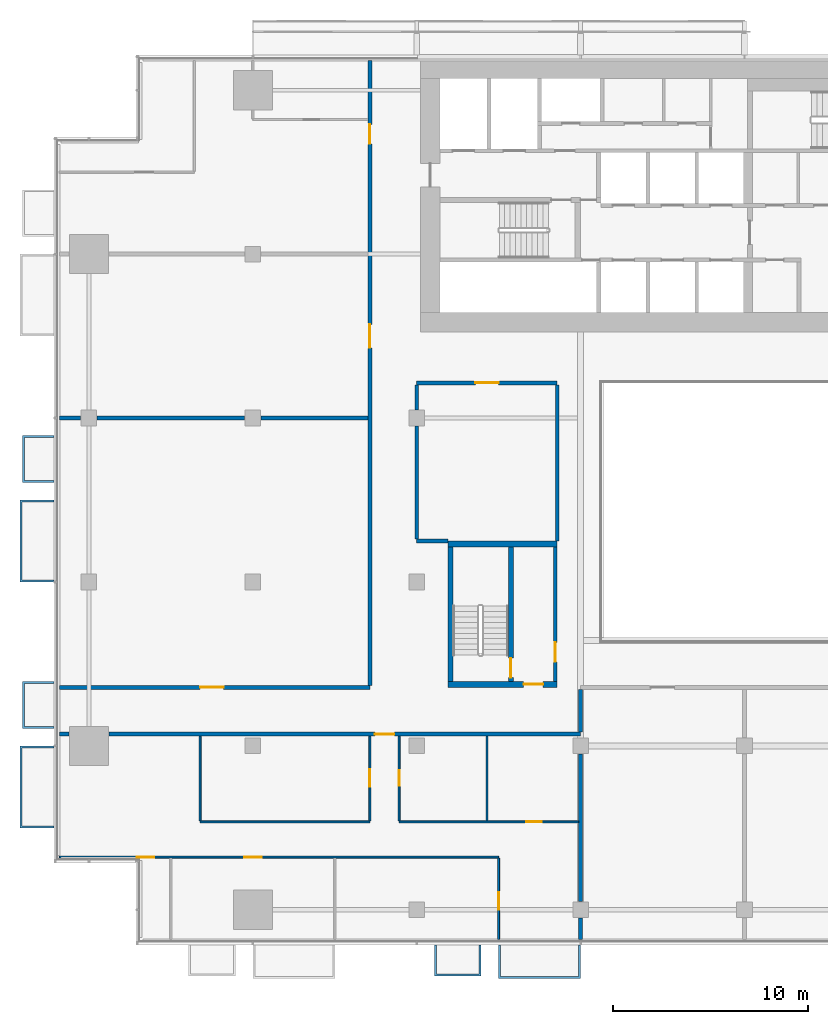
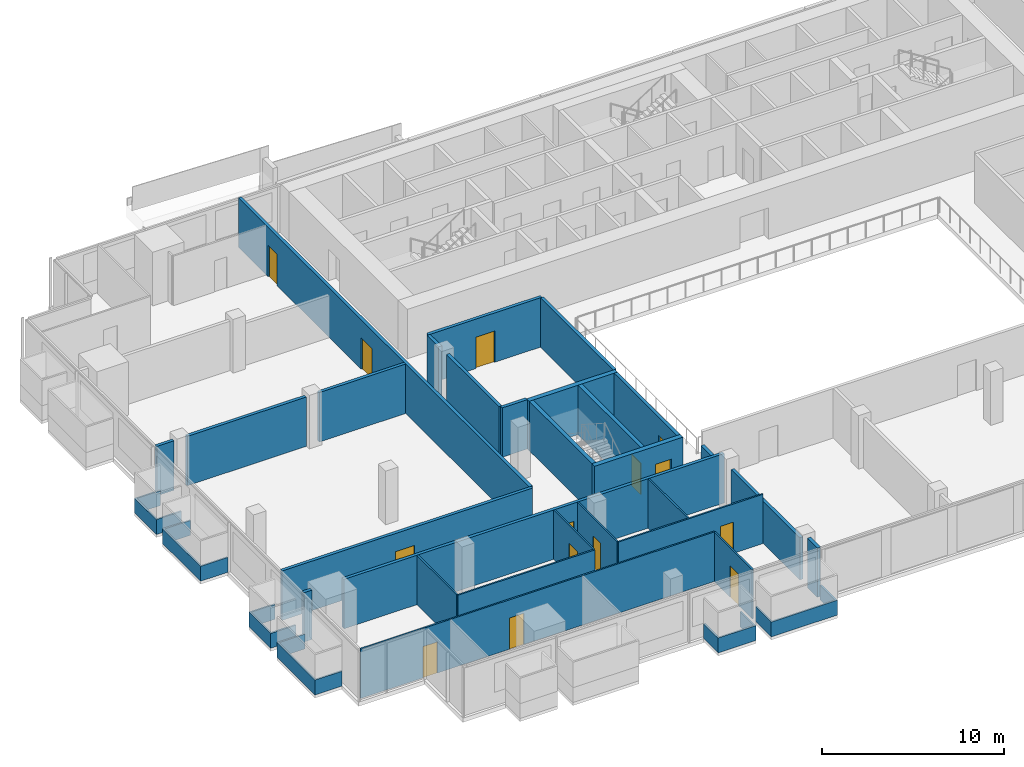
# One storey, part 17 of 26: 34 walls, 14 doors, 14 openings.
"""IFC4 building model written with IfcOpenShell, lengths in metres."""

from ifc_helpers import new_model, si_unit, direction, frame, frame_2d, origin, place, context, subcontext, project, spatial, polyline, rectangle, outline, extrude, material, layer, layer_set, type_object, element, fill, save


model = new_model("IFC4")

# Units and contexts
model_context = context("Model", 3, precision=1e-05, world=origin(), true_north=direction((0.0, 1.0)))
body_context = subcontext(model_context, "Body", "Model", "MODEL_VIEW")
ifc_project = project(units=[si_unit("LENGTHUNIT", "METRE"), si_unit("AREAUNIT", "SQUARE_METRE"), si_unit("VOLUMEUNIT", "CUBIC_METRE"), si_unit("PLANEANGLEUNIT", "RADIAN"), si_unit("MASSUNIT", "GRAM", prefix="KILO")], contexts=[model_context])

# Site, building, storey
site_placement = place(None, origin())
site = spatial("IfcSite", under=ifc_project, at=site_placement, CompositionType="ELEMENT")
building_placement = place(site_placement, origin())
building = spatial("IfcBuilding", under=site, at=building_placement, Name="Saffron Gate Tower", CompositionType="ELEMENT")
storey_placement = place(building_placement, frame((0.0, 0.0, 102.449951171875)))
storey = spatial("IfcBuildingStorey", under=building, at=storey_placement, Name="L23", CompositionType="ELEMENT", Elevation=102.449951171875)

# Wall, opening, door
ifc_material_1 = material(Name="Gypsum board partition on steel studs", Category="steel")
ifc_layer_1 = layer(ifc_material_1, 0.199951171875)
ifc_layer_set_1 = layer_set([ifc_layer_1], Name="CW10 Core partition 200")
wall_type_1 = type_object("IfcWallType", Name="CW10 Core partition 200", PredefinedType="PARTITIONING", material=ifc_layer_set_1)
wall_1_placement = place(storey_placement, frame((73.699951171875, 43.5, 0.0), z_axis=(0.0, 0.0, 1.0), x_axis=(0.0, 1.0, 0.0)))
wall_1 = element("IfcWall", 1, at=wall_1_placement, inside=storey, type_object=wall_type_1, Name="Wall CW10-L23-D-4", PredefinedType="PARTITIONING", context=body_context, shape_type="SweptSolid", body=[
    extrude(rectangle(XDim=6.89990234375, YDim=0.199951171875, at=frame_2d((3.449951171875, 0.0))), origin(), (0.0, 0.0, 1.0), 3.320068359375),
])
opening_1_placement = place(wall_1_placement, frame((1.0, 0.0, 0.0)))
opening_1 = element("IfcOpeningElement", 2, at=opening_1_placement, cuts=wall_1, Name="Opening CR-19", PredefinedType="OPENING", context=body_context, shape_type="SweptSolid", body=[
    extrude(rectangle(XDim=1.0, YDim=2.10009765625, at=frame_2d((0.5, 1.050048828125))), frame((0.0, 0.10986328125, 0.0), z_axis=(0.0, -1.0, 0.0), x_axis=(1.0, 0.0, 0.0)), (0.0, 0.0, 1.0), 0.219970703125),
])
ifc_material_2 = material(Name="Steel fire door set", Category="steel")
door_type_1 = type_object("IfcDoorType", Name="CD4 Lobby door 1000x2100 EI 120", OperationType="NOTDEFINED", PredefinedType="DOOR", material=ifc_material_2)
door_1_placement = place(opening_1_placement, origin())
door_1 = element("IfcDoor", 3, at=door_1_placement, inside=storey, type_object=door_type_1, Name="DOOR CR-19", OperationType="SINGLE_SWING_RIGHT", OverallHeight=2.10009765625, OverallWidth=1.0, PredefinedType="DOOR", context=body_context, shape_type="SweptSolid", body=[
    extrude(rectangle(XDim=1.0, YDim=2.10009765625, at=frame_2d((0.5, 1.050048828125))), frame((0.0, 0.02490234375, 0.0), z_axis=(0.0, -1.0, 0.0), x_axis=(1.0, 0.0, 0.0)), (0.0, 0.0, 1.0), 0.050048828125),
])
fill(opening_1, door_1)

# Wall
ifc_material_3 = material(Name="Concrete C70", Category="concrete")
ifc_layer_2 = layer(ifc_material_3, 0.25)
ifc_layer_set_2 = layer_set([ifc_layer_2], Name="CW2 RC core wall 250 C70")
wall_type_2 = type_object("IfcWallType", Name="CW2 RC core wall 250 C70", PredefinedType="SOLIDWALL", material=ifc_layer_set_2)
wall_2_placement = place(storey_placement, frame((68.324951171875, 43.5, 0.0), z_axis=(0.0, 0.0, 1.0), x_axis=(0.0, 1.0, 0.0)))
element("IfcWall", 4, at=wall_2_placement, inside=storey, type_object=wall_type_2, Name="Wall CW2-L23-D-2", PredefinedType="SOLIDWALL", context=body_context, shape_type="SweptSolid", body=[
    extrude(rectangle(XDim=6.89990234375, YDim=0.25, at=frame_2d((3.449951171875, 0.0))), origin(), (0.0, 0.0, 1.0), 3.320068359375),
])

# Wall, opening, door
wall_3_placement = place(storey_placement, frame((71.425048828125, 43.5, 0.0), z_axis=(0.0, 0.0, 1.0), x_axis=(0.0, 1.0, 0.0)))
wall_3 = element("IfcWall", 5, at=wall_3_placement, inside=storey, type_object=wall_type_2, Name="Wall CW2-L23-D-3", PredefinedType="SOLIDWALL", context=body_context, shape_type="SweptSolid", body=[
    extrude(rectangle(XDim=6.89990234375, YDim=0.25, at=frame_2d((3.449951171875, 0.0))), origin(), (0.0, 0.0, 1.0), 3.320068359375),
])
opening_2_placement = place(wall_3_placement, frame((0.199951171875, 0.0, 0.0)))
opening_2 = element("IfcOpeningElement", 6, at=opening_2_placement, cuts=wall_3, Name="Opening CR-20", PredefinedType="OPENING", context=body_context, shape_type="SweptSolid", body=[
    extrude(rectangle(XDim=1.0, YDim=2.10009765625, at=frame_2d((0.5, 1.050048828125))), frame((0.0, 0.135009765625, 0.0), z_axis=(0.0, -1.0, 0.0), x_axis=(1.0, 0.0, 0.0)), (0.0, 0.0, 1.0), 0.27001953125),
])
door_type_2 = type_object("IfcDoorType", Name="CD5 Stair door 1000x2100 EI 120", OperationType="NOTDEFINED", PredefinedType="DOOR", material=ifc_material_2)
door_2_placement = place(opening_2_placement, origin())
door_2 = element("IfcDoor", 7, at=door_2_placement, inside=storey, type_object=door_type_2, Name="DOOR CR-20", OperationType="SINGLE_SWING_LEFT", OverallHeight=2.10009765625, OverallWidth=1.0, PredefinedType="DOOR", context=body_context, shape_type="SweptSolid", body=[
    extrude(rectangle(XDim=1.0, YDim=2.10009765625, at=frame_2d((0.5, 1.050048828125))), frame((0.0, 0.02490234375, 0.0), z_axis=(0.0, -1.0, 0.0), x_axis=(1.0, 0.0, 0.0)), (0.0, 0.0, 1.0), 0.050048828125),
])
fill(opening_2, door_2)

ifc_layer_3 = layer(ifc_material_3, 0.300048828125)
ifc_layer_set_3 = layer_set([ifc_layer_3], Name="CW5 RC core wall 300 C70")
wall_type_3 = type_object("IfcWallType", Name="CW5 RC core wall 300 C70", PredefinedType="SOLIDWALL", material=ifc_layer_set_3)
wall_4_placement = place(storey_placement, frame((68.199951171875, 43.35009765625, 0.0), z_axis=(0.0, 0.0, 1.0), x_axis=(1.0, 0.0, 0.0)))
wall_4 = element("IfcWall", 8, at=wall_4_placement, inside=storey, type_object=wall_type_3, Name="Wall CW5-L23-D-1", PredefinedType="SOLIDWALL", context=body_context, shape_type="SweptSolid", body=[
    extrude(rectangle(XDim=5.60009765625, YDim=0.300048828125, at=frame_2d((2.800048828125, 0.0))), origin(), (0.0, 0.0, 1.0), 3.320068359375),
])
opening_3_placement = place(wall_4_placement, frame((3.875, 0.0, 0.0)))
opening_3 = element("IfcOpeningElement", 9, at=opening_3_placement, cuts=wall_4, Name="Opening CR-18", PredefinedType="OPENING", context=body_context, shape_type="SweptSolid", body=[
    extrude(rectangle(XDim=1.0, YDim=2.10009765625, at=frame_2d((0.5, 1.050048828125))), frame((0.0, 0.16015625, 0.0), z_axis=(0.0, -1.0, 0.0), x_axis=(1.0, 0.0, 0.0)), (0.0, 0.0, 1.0), 0.320068359375),
])
door_3_placement = place(opening_3_placement, origin())
door_3 = element("IfcDoor", 10, at=door_3_placement, inside=storey, type_object=door_type_1, Name="DOOR CR-18", OperationType="SINGLE_SWING_RIGHT", OverallHeight=2.10009765625, OverallWidth=1.0, PredefinedType="DOOR", context=body_context, shape_type="SweptSolid", body=[
    extrude(rectangle(XDim=1.0, YDim=2.10009765625, at=frame_2d((0.5, 1.050048828125))), frame((0.0, 0.02490234375, 0.0), z_axis=(0.0, -1.0, 0.0), x_axis=(1.0, 0.0, 0.0)), (0.0, 0.0, 1.0), 0.050048828125),
])
fill(opening_3, door_3)

# Wall
wall_5_placement = place(storey_placement, frame((68.199951171875, 50.550048828125, 0.0), z_axis=(0.0, 0.0, 1.0), x_axis=(1.0, 0.0, 0.0)))
element("IfcWall", 11, at=wall_5_placement, inside=storey, type_object=wall_type_3, Name="Wall CW5-L23-D-5", PredefinedType="SOLIDWALL", context=body_context, shape_type="SweptSolid", body=[
    extrude(rectangle(XDim=5.60009765625, YDim=0.300048828125, at=frame_2d((2.800048828125, 0.0))), origin(), (0.0, 0.0, 1.0), 3.320068359375),
])

# Wall, openings, doors
ifc_material_4 = material(Name="Plasterboard on steel studs", Category="steel")
ifc_layer_4 = layer(ifc_material_4, 0.10009765625)
ifc_layer_set_4 = layer_set([ifc_layer_4], Name="PW1 Partition 100")
wall_type_4 = type_object("IfcWallType", Name="PW1 Partition 100", PredefinedType="PARTITIONING", material=ifc_layer_set_4)
wall_6_placement = place(storey_placement, frame((70.800048828125, 34.5, 0.0), z_axis=(0.0, 0.0, 1.0), x_axis=(-1.0, 0.0, 0.0)))
wall_6 = element("IfcWall", 12, at=wall_6_placement, inside=storey, type_object=wall_type_4, Name="Partition B1-1", PredefinedType="PARTITIONING", context=body_context, shape_type="SweptSolid", body=[
    extrude(rectangle(XDim=22.52001953125, YDim=0.10009765625, at=frame_2d((11.260009765625, 0.0))), origin(), (0.0, 0.0, 1.0), 3.320068359375),
])
opening_4_placement = place(wall_6_placement, frame((12.14990234375, 0.0, 0.0)))
opening_4 = element("IfcOpeningElement", 13, at=opening_4_placement, cuts=wall_6, Name="Opening B1-6", PredefinedType="OPENING", context=body_context, shape_type="SweptSolid", body=[
    extrude(rectangle(XDim=0.89990234375, YDim=2.10009765625, at=frame_2d((0.449951171875, 1.050048828125))), frame((0.0, 0.06005859375, 0.0), z_axis=(0.0, -1.0, 0.0), x_axis=(1.0, 0.0, 0.0)), (0.0, 0.0, 1.0), 0.1201171875),
])
opening_5_placement = place(wall_6_placement, frame((17.65380859375, 0.0, 0.0)))
opening_5 = element("IfcOpeningElement", 14, at=opening_5_placement, cuts=wall_6, Name="Opening B1-5", PredefinedType="OPENING", context=body_context, shape_type="SweptSolid", body=[
    extrude(rectangle(XDim=0.89990234375, YDim=2.10009765625, at=frame_2d((0.449951171875, 1.050048828125))), frame((0.0, 0.06005859375, 0.0), z_axis=(0.0, -1.0, 0.0), x_axis=(1.0, 0.0, 0.0)), (0.0, 0.0, 1.0), 0.1201171875),
])
ifc_material_5 = material(Name="Timber door set", Category="wood")
door_type_3 = type_object("IfcDoorType", Name="RD1 Room door 900x2100", OperationType="NOTDEFINED", PredefinedType="DOOR", material=ifc_material_5)
door_4_placement = place(opening_4_placement, origin())
door_4 = element("IfcDoor", 15, at=door_4_placement, inside=storey, type_object=door_type_3, Name="Door B1-6", OperationType="SINGLE_SWING_RIGHT", OverallHeight=2.10009765625, OverallWidth=0.89990234375, PredefinedType="DOOR", context=body_context, shape_type="SweptSolid", body=[
    extrude(rectangle(XDim=0.89990234375, YDim=2.10009765625, at=frame_2d((0.449951171875, 1.050048828125))), frame((0.0, 0.02490234375, 0.0), z_axis=(0.0, -1.0, 0.0), x_axis=(1.0, 0.0, 0.0)), (0.0, 0.0, 1.0), 0.050048828125),
])
fill(opening_4, door_4)
door_5_placement = place(opening_5_placement, origin())
door_5 = element("IfcDoor", 16, at=door_5_placement, inside=storey, type_object=door_type_3, Name="Door B1-5", OperationType="SINGLE_SWING_LEFT", OverallHeight=2.10009765625, OverallWidth=0.89990234375, PredefinedType="DOOR", context=body_context, shape_type="SweptSolid", body=[
    extrude(rectangle(XDim=0.89990234375, YDim=2.10009765625, at=frame_2d((0.449951171875, 1.050048828125))), frame((0.0, 0.02490234375, 0.0), z_axis=(0.0, -1.0, 0.0), x_axis=(1.0, 0.0, 0.0)), (0.0, 0.0, 1.0), 0.050048828125),
])
fill(opening_5, door_5)

# Wall
wall_7_placement = place(storey_placement, frame((55.5, 36.300048828125, 0.0), z_axis=(0.0, 0.0, 1.0), x_axis=(1.0, 0.0, 0.0)))
element("IfcWall", 17, at=wall_7_placement, inside=storey, type_object=wall_type_4, Name="Partition B1-4", PredefinedType="PARTITIONING", context=body_context, shape_type="SweptSolid", body=[
    extrude(rectangle(XDim=8.699951171875, YDim=0.10009765625, at=frame_2d((4.35009765625, 0.0))), origin(), (0.0, 0.0, 1.0), 3.320068359375),
])

# Wall, opening, door
wall_8_placement = place(storey_placement, frame((65.699951171875, 36.300048828125, 0.0), z_axis=(0.0, 0.0, 1.0), x_axis=(1.0, 0.0, 0.0)))
wall_8 = element("IfcWall", 18, at=wall_8_placement, inside=storey, type_object=wall_type_4, Name="Partition B1-5", PredefinedType="PARTITIONING", context=body_context, shape_type="SweptSolid", body=[
    extrude(rectangle(XDim=9.199951171875, YDim=0.10009765625, at=frame_2d((4.60009765625, 0.0))), origin(), (0.0, 0.0, 1.0), 3.320068359375),
])
opening_6_placement = place(wall_8_placement, frame((6.5, 0.0, 0.0)))
opening_6 = element("IfcOpeningElement", 19, at=opening_6_placement, cuts=wall_8, Name="Opening B1-17", PredefinedType="OPENING", context=body_context, shape_type="SweptSolid", body=[
    extrude(rectangle(XDim=0.800048828125, YDim=2.10009765625, at=frame_2d((0.39990234375, 1.050048828125))), frame((0.0, 0.06005859375, 0.0), z_axis=(0.0, -1.0, 0.0), x_axis=(1.0, 0.0, 0.0)), (0.0, 0.0, 1.0), 0.1201171875),
])
door_type_4 = type_object("IfcDoorType", Name="RD2 Bathroom door 800x2100", OperationType="NOTDEFINED", PredefinedType="DOOR", material=ifc_material_5)
door_6_placement = place(opening_6_placement, origin())
door_6 = element("IfcDoor", 20, at=door_6_placement, inside=storey, type_object=door_type_4, Name="Door B1-17", OperationType="SINGLE_SWING_RIGHT", OverallHeight=2.10009765625, OverallWidth=0.800048828125, PredefinedType="DOOR", context=body_context, shape_type="SweptSolid", body=[
    extrude(rectangle(XDim=0.800048828125, YDim=2.10009765625, at=frame_2d((0.39990234375, 1.050048828125))), frame((0.0, 0.02490234375, 0.0), z_axis=(0.0, -1.0, 0.0), x_axis=(1.0, 0.0, 0.0)), (0.0, 0.0, 1.0), 0.050048828125),
])
fill(opening_6, door_6)

# Wall
wall_9_placement = place(storey_placement, frame((55.5, 40.699951171875, 0.0), z_axis=(0.0, 0.0, 1.0), x_axis=(0.0, -1.0, 0.0)))
element("IfcWall", 21, at=wall_9_placement, inside=storey, type_object=wall_type_4, Name="Partition B1-38", PredefinedType="PARTITIONING", context=body_context, shape_type="SweptSolid", body=[
    extrude(rectangle(XDim=4.349853515625, YDim=0.10009765625, at=frame_2d((2.1748046875, 0.0))), origin(), (0.0, 0.0, 1.0), 3.320068359375),
])

# Wall, opening, door
wall_10_placement = place(storey_placement, frame((64.199951171875, 36.35009765625, 0.0), z_axis=(0.0, 0.0, 1.0), x_axis=(0.0, 1.0, 0.0)))
wall_10 = element("IfcWall", 22, at=wall_10_placement, inside=storey, type_object=wall_type_4, Name="Partition B1-43", PredefinedType="PARTITIONING", context=body_context, shape_type="SweptSolid", body=[
    extrude(rectangle(XDim=4.349853515625, YDim=0.10009765625, at=frame_2d((2.1748046875, 0.0))), origin(), (0.0, 0.0, 1.0), 3.320068359375),
])
opening_7_placement = place(wall_10_placement, frame((1.75, 0.0, 0.0)))
opening_7 = element("IfcOpeningElement", 23, at=opening_7_placement, cuts=wall_10, Name="Opening B1-8", PredefinedType="OPENING", context=body_context, shape_type="SweptSolid", body=[
    extrude(rectangle(XDim=0.89990234375, YDim=2.10009765625, at=frame_2d((0.449951171875, 1.050048828125))), frame((0.0, 0.06005859375, 0.0), z_axis=(0.0, -1.0, 0.0), x_axis=(1.0, 0.0, 0.0)), (0.0, 0.0, 1.0), 0.1201171875),
])
door_7_placement = place(opening_7_placement, origin())
door_7 = element("IfcDoor", 24, at=door_7_placement, inside=storey, type_object=door_type_3, Name="Door B1-8", OperationType="SINGLE_SWING_RIGHT", OverallHeight=2.10009765625, OverallWidth=0.89990234375, PredefinedType="DOOR", context=body_context, shape_type="SweptSolid", body=[
    extrude(rectangle(XDim=0.89990234375, YDim=2.10009765625, at=frame_2d((0.449951171875, 1.050048828125))), frame((0.0, 0.02490234375, 0.0), z_axis=(0.0, -1.0, 0.0), x_axis=(1.0, 0.0, 0.0)), (0.0, 0.0, 1.0), 0.050048828125),
])
fill(opening_7, door_7)

wall_11_placement = place(storey_placement, frame((65.699951171875, 40.699951171875, 0.0), z_axis=(0.0, 0.0, 1.0), x_axis=(0.0, -1.0, 0.0)))
wall_11 = element("IfcWall", 25, at=wall_11_placement, inside=storey, type_object=wall_type_4, Name="Partition B1-44", PredefinedType="PARTITIONING", context=body_context, shape_type="SweptSolid", body=[
    extrude(rectangle(XDim=4.349853515625, YDim=0.10009765625, at=frame_2d((2.1748046875, 0.0))), origin(), (0.0, 0.0, 1.0), 3.320068359375),
])
opening_8_placement = place(wall_11_placement, frame((1.75, 0.0, 0.0)))
opening_8 = element("IfcOpeningElement", 26, at=opening_8_placement, cuts=wall_11, Name="Opening B1-16", PredefinedType="OPENING", context=body_context, shape_type="SweptSolid", body=[
    extrude(rectangle(XDim=0.800048828125, YDim=2.10009765625, at=frame_2d((0.39990234375, 1.050048828125))), frame((0.0, 0.06005859375, 0.0), z_axis=(0.0, -1.0, 0.0), x_axis=(1.0, 0.0, 0.0)), (0.0, 0.0, 1.0), 0.1201171875),
])
door_8_placement = place(opening_8_placement, origin())
door_8 = element("IfcDoor", 27, at=door_8_placement, inside=storey, type_object=door_type_4, Name="Door B1-16", OperationType="SINGLE_SWING_LEFT", OverallHeight=2.10009765625, OverallWidth=0.800048828125, PredefinedType="DOOR", context=body_context, shape_type="SweptSolid", body=[
    extrude(rectangle(XDim=0.800048828125, YDim=2.10009765625, at=frame_2d((0.39990234375, 1.050048828125))), frame((0.0, 0.02490234375, 0.0), z_axis=(0.0, -1.0, 0.0), x_axis=(1.0, 0.0, 0.0)), (0.0, 0.0, 1.0), 0.050048828125),
])
fill(opening_8, door_8)

# Wall
wall_12_placement = place(storey_placement, frame((70.199951171875, 40.699951171875, 0.0), z_axis=(0.0, 0.0, 1.0), x_axis=(0.0, -1.0, 0.0)))
element("IfcWall", 28, at=wall_12_placement, inside=storey, type_object=wall_type_4, Name="Partition B1-47", PredefinedType="PARTITIONING", context=body_context, shape_type="SweptSolid", body=[
    extrude(rectangle(XDim=4.349853515625, YDim=0.10009765625, at=frame_2d((2.1748046875, 0.0))), origin(), (0.0, 0.0, 1.0), 3.320068359375),
])

# Wall, opening, door
wall_13_placement = place(storey_placement, frame((70.800048828125, 30.280029296875, 0.0), z_axis=(0.0, 0.0, 1.0), x_axis=(0.0, 1.0, 0.0)))
wall_13 = element("IfcWall", 29, at=wall_13_placement, inside=storey, type_object=wall_type_4, Name="Partition B1-48", PredefinedType="PARTITIONING", context=body_context, shape_type="SweptSolid", body=[
    extrude(rectangle(XDim=4.169921875, YDim=0.10009765625, at=frame_2d((2.0849609375, 0.0))), origin(), (0.0, 0.0, 1.0), 3.320068359375),
])
opening_9_placement = place(wall_13_placement, frame((1.52001953125, 0.0, 0.0)))
opening_9 = element("IfcOpeningElement", 30, at=opening_9_placement, cuts=wall_13, Name="Opening B1-7", PredefinedType="OPENING", context=body_context, shape_type="SweptSolid", body=[
    extrude(rectangle(XDim=0.89990234375, YDim=2.10009765625, at=frame_2d((0.449951171875, 1.050048828125))), frame((0.0, 0.06005859375, 0.0), z_axis=(0.0, -1.0, 0.0), x_axis=(1.0, 0.0, 0.0)), (0.0, 0.0, 1.0), 0.1201171875),
])
door_9_placement = place(opening_9_placement, origin())
door_9 = element("IfcDoor", 31, at=door_9_placement, inside=storey, type_object=door_type_3, Name="Door B1-7", OperationType="SINGLE_SWING_LEFT", OverallHeight=2.10009765625, OverallWidth=0.89990234375, PredefinedType="DOOR", context=body_context, shape_type="SweptSolid", body=[
    extrude(rectangle(XDim=0.89990234375, YDim=2.10009765625, at=frame_2d((0.449951171875, 1.050048828125))), frame((0.0, 0.02490234375, 0.0), z_axis=(0.0, -1.0, 0.0), x_axis=(1.0, 0.0, 0.0)), (0.0, 0.0, 1.0), 0.050048828125),
])
fill(opening_9, door_9)

# Wall
ifc_material_6 = material(Name="Clay brick masonry, rendered", Category="masonry")
ifc_layer_5 = layer(ifc_material_6, 0.199951171875)
ifc_layer_set_5 = layer_set([ifc_layer_5], Name="PW3 Corridor wall 200")
wall_type_5 = type_object("IfcWallType", Name="PW3 Corridor wall 200", PredefinedType="PARTITIONING", material=ifc_layer_set_5)
wall_14_placement = place(storey_placement, frame((48.280029296875, 40.800048828125, 0.0), z_axis=(0.0, 0.0, 1.0), x_axis=(1.0, 0.0, 0.0)))
element("IfcWall", 32, at=wall_14_placement, inside=storey, type_object=wall_type_5, Name="Wall B1-8", PredefinedType="PARTITIONING", context=body_context, shape_type="SweptSolid", body=[
    extrude(rectangle(XDim=0.5, YDim=0.199951171875, at=frame_2d((0.25, 0.0))), origin(), (0.0, 0.0, 1.0), 3.320068359375),
])

# Wall, opening, door
wall_15_placement = place(storey_placement, frame((75.0, 40.800048828125, 0.0), z_axis=(0.0, 0.0, 1.0), x_axis=(-1.0, 0.0, 0.0)))
wall_15 = element("IfcWall", 33, at=wall_15_placement, inside=storey, type_object=wall_type_5, Name="Wall B1-9", PredefinedType="PARTITIONING", context=body_context, shape_type="SweptSolid", body=[
    extrude(rectangle(XDim=24.179931640625, YDim=0.199951171875, at=frame_2d((12.08984375, 0.0))), origin(), (0.0, 0.0, 1.0), 3.320068359375),
])
opening_10_placement = place(wall_15_placement, frame((9.550048828125, 0.0, 0.0)))
opening_10 = element("IfcOpeningElement", 34, at=opening_10_placement, cuts=wall_15, Name="Opening B1-1", PredefinedType="OPENING", context=body_context, shape_type="SweptSolid", body=[
    extrude(rectangle(XDim=1.0, YDim=2.10009765625, at=frame_2d((0.5, 1.050048828125))), frame((0.0, 0.10986328125, 0.0), z_axis=(0.0, -1.0, 0.0), x_axis=(1.0, 0.0, 0.0)), (0.0, 0.0, 1.0), 0.219970703125),
])
ifc_material_7 = material(Name="Timber fire door set", Category="wood")
door_type_5 = type_object("IfcDoorType", Name="FD1 Flat entry door 1000x2100", OperationType="NOTDEFINED", PredefinedType="DOOR", material=ifc_material_7)
door_10_placement = place(opening_10_placement, origin())
door_10 = element("IfcDoor", 35, at=door_10_placement, inside=storey, type_object=door_type_5, Name="Door B1-1", OperationType="SINGLE_SWING_LEFT", OverallHeight=2.10009765625, OverallWidth=1.0, PredefinedType="DOOR", context=body_context, shape_type="SweptSolid", body=[
    extrude(rectangle(XDim=1.0, YDim=2.10009765625, at=frame_2d((0.5, 1.050048828125))), frame((0.0, 0.02490234375, 0.0), z_axis=(0.0, -1.0, 0.0), x_axis=(1.0, 0.0, 0.0)), (0.0, 0.0, 1.0), 0.050048828125),
])
fill(opening_10, door_10)

wall_16_placement = place(storey_placement, frame((48.280029296875, 43.199951171875, 0.0), z_axis=(0.0, 0.0, 1.0), x_axis=(1.0, 0.0, 0.0)))
wall_16 = element("IfcWall", 36, at=wall_16_placement, inside=storey, type_object=wall_type_5, Name="Wall B1-12", PredefinedType="PARTITIONING", context=body_context, shape_type="SweptSolid", body=[
    extrude(rectangle(XDim=15.919921875, YDim=0.199951171875, at=frame_2d((7.9599609375, 0.0))), origin(), (0.0, 0.0, 1.0), 3.320068359375),
])
opening_11_placement = place(wall_16_placement, frame((7.219970703125, 0.0, 0.0)))
opening_11 = element("IfcOpeningElement", 37, at=opening_11_placement, cuts=wall_16, Name="Opening B1-27", PredefinedType="OPENING", context=body_context, shape_type="SweptSolid", body=[
    extrude(rectangle(XDim=1.199951171875, YDim=2.10009765625, at=frame_2d((0.60009765625, 1.050048828125))), frame((0.0, 0.10986328125, 0.0), z_axis=(0.0, -1.0, 0.0), x_axis=(1.0, 0.0, 0.0)), (0.0, 0.0, 1.0), 0.219970703125),
])
door_type_6 = type_object("IfcDoorType", Name="HD1 Hall door 1200x2100", OperationType="NOTDEFINED", PredefinedType="DOOR", material=ifc_material_5)
door_11_placement = place(opening_11_placement, origin())
door_11 = element("IfcDoor", 38, at=door_11_placement, inside=storey, type_object=door_type_6, Name="Door B1-27", OperationType="SINGLE_SWING_LEFT", OverallHeight=2.10009765625, OverallWidth=1.199951171875, PredefinedType="DOOR", context=body_context, shape_type="SweptSolid", body=[
    extrude(rectangle(XDim=1.199951171875, YDim=2.10009765625, at=frame_2d((0.60009765625, 1.050048828125))), frame((0.0, 0.02490234375, 0.0), z_axis=(0.0, -1.0, 0.0), x_axis=(1.0, 0.0, 0.0)), (0.0, 0.0, 1.0), 0.050048828125),
])
fill(opening_11, door_11)

# Wall
wall_17_placement = place(storey_placement, frame((66.60009765625, 50.699951171875, 0.0), z_axis=(0.0, 0.0, 1.0), x_axis=(1.0, 0.0, 0.0)))
element("IfcWall", 39, at=wall_17_placement, inside=storey, type_object=wall_type_5, Name="Wall B1-15", PredefinedType="PARTITIONING", context=body_context, shape_type="SweptSolid", body=[
    extrude(rectangle(XDim=1.599853515625, YDim=0.199951171875, at=frame_2d((0.7998046875, 0.0))), origin(), (0.0, 0.0, 1.0), 3.320068359375),
])

# Wall, opening, door
wall_18_placement = place(storey_placement, frame((73.800048828125, 58.800048828125, 0.0), z_axis=(0.0, 0.0, 1.0), x_axis=(-1.0, 0.0, 0.0)))
wall_18 = element("IfcWall", 40, at=wall_18_placement, inside=storey, type_object=wall_type_5, Name="Wall B1-24", PredefinedType="PARTITIONING", context=body_context, shape_type="SweptSolid", body=[
    extrude(rectangle(XDim=7.199951171875, YDim=0.199951171875, at=frame_2d((3.60009765625, 0.0))), origin(), (0.0, 0.0, 1.0), 3.320068359375),
])
opening_12_placement = place(wall_18_placement, frame((3.0, 0.0, 0.0)))
opening_12 = element("IfcOpeningElement", 41, at=opening_12_placement, cuts=wall_18, Name="Opening B1-29", PredefinedType="OPENING", context=body_context, shape_type="SweptSolid", body=[
    extrude(rectangle(XDim=1.199951171875, YDim=2.10009765625, at=frame_2d((0.60009765625, 1.050048828125))), frame((0.0, 0.10986328125, 0.0), z_axis=(0.0, -1.0, 0.0), x_axis=(1.0, 0.0, 0.0)), (0.0, 0.0, 1.0), 0.219970703125),
])
door_12_placement = place(opening_12_placement, origin())
door_12 = element("IfcDoor", 42, at=door_12_placement, inside=storey, type_object=door_type_6, Name="Door B1-29", OperationType="SINGLE_SWING_LEFT", OverallHeight=2.10009765625, OverallWidth=1.199951171875, PredefinedType="DOOR", context=body_context, shape_type="SweptSolid", body=[
    extrude(rectangle(XDim=1.199951171875, YDim=2.10009765625, at=frame_2d((0.60009765625, 1.050048828125))), frame((0.0, 0.02490234375, 0.0), z_axis=(0.0, -1.0, 0.0), x_axis=(1.0, 0.0, 0.0)), (0.0, 0.0, 1.0), 0.050048828125),
])
fill(opening_12, door_12)

# Wall, openings, doors
wall_19_placement = place(storey_placement, frame((64.199951171875, 43.300048828125, 0.0), z_axis=(0.0, 0.0, 1.0), x_axis=(0.0, 1.0, 0.0)))
wall_19 = element("IfcWall", 43, at=wall_19_placement, inside=storey, type_object=wall_type_5, Name="Wall B1-42", PredefinedType="PARTITIONING", context=body_context, shape_type="SweptSolid", body=[
    extrude(rectangle(XDim=32.02001953125, YDim=0.199951171875, at=frame_2d((16.010009765625, 0.0))), origin(), (0.0, 0.0, 1.0), 3.320068359375),
])
opening_13_placement = place(wall_19_placement, frame((17.300048828125, 0.0, 0.0)))
opening_13 = element("IfcOpeningElement", 44, at=opening_13_placement, cuts=wall_19, Name="Opening B1-28", PredefinedType="OPENING", context=body_context, shape_type="SweptSolid", body=[
    extrude(rectangle(XDim=1.199951171875, YDim=2.10009765625, at=frame_2d((0.60009765625, 1.050048828125))), frame((0.0, 0.10986328125, 0.0), z_axis=(0.0, -1.0, 0.0), x_axis=(1.0, 0.0, 0.0)), (0.0, 0.0, 1.0), 0.219970703125),
])
opening_14_placement = place(wall_19_placement, frame((27.75, 0.0, 0.0)))
opening_14 = element("IfcOpeningElement", 45, at=opening_14_placement, cuts=wall_19, Name="Opening B1-3", PredefinedType="OPENING", context=body_context, shape_type="SweptSolid", body=[
    extrude(rectangle(XDim=1.0, YDim=2.10009765625, at=frame_2d((0.5, 1.050048828125))), frame((0.0, 0.10986328125, 0.0), z_axis=(0.0, -1.0, 0.0), x_axis=(1.0, 0.0, 0.0)), (0.0, 0.0, 1.0), 0.219970703125),
])
door_13_placement = place(opening_14_placement, origin())
door_13 = element("IfcDoor", 46, at=door_13_placement, inside=storey, type_object=door_type_5, Name="Door B1-3", OperationType="SINGLE_SWING_LEFT", OverallHeight=2.10009765625, OverallWidth=1.0, PredefinedType="DOOR", context=body_context, shape_type="SweptSolid", body=[
    extrude(rectangle(XDim=1.0, YDim=2.10009765625, at=frame_2d((0.5, 1.050048828125))), frame((0.0, 0.02490234375, 0.0), z_axis=(0.0, -1.0, 0.0), x_axis=(1.0, 0.0, 0.0)), (0.0, 0.0, 1.0), 0.050048828125),
])
fill(opening_14, door_13)
door_14_placement = place(opening_13_placement, origin())
door_14 = element("IfcDoor", 47, at=door_14_placement, inside=storey, type_object=door_type_6, Name="Door B1-28", OperationType="SINGLE_SWING_RIGHT", OverallHeight=2.10009765625, OverallWidth=1.199951171875, PredefinedType="DOOR", context=body_context, shape_type="SweptSolid", body=[
    extrude(rectangle(XDim=1.199951171875, YDim=2.10009765625, at=frame_2d((0.60009765625, 1.050048828125))), frame((0.0, 0.02490234375, 0.0), z_axis=(0.0, -1.0, 0.0), x_axis=(1.0, 0.0, 0.0)), (0.0, 0.0, 1.0), 0.050048828125),
])
fill(opening_13, door_14)

# Walls
wall_20_placement = place(storey_placement, frame((66.60009765625, 56.580078125, 0.0), z_axis=(0.0, 0.0, 1.0), x_axis=(0.0, -1.0, 0.0)))
element("IfcWall", 48, at=wall_20_placement, inside=storey, type_object=wall_type_5, Name="Wall B1-45", PredefinedType="PARTITIONING", context=body_context, shape_type="SweptSolid", body=[
    extrude(rectangle(XDim=5.780029296875, YDim=0.199951171875, at=frame_2d((2.89013671875, 0.0))), origin(), (0.0, 0.0, 1.0), 3.320068359375),
])
wall_21_placement = place(storey_placement, frame((66.60009765625, 58.699951171875, 0.0), z_axis=(0.0, 0.0, 1.0), x_axis=(0.0, -1.0, 0.0)))
element("IfcWall", 49, at=wall_21_placement, inside=storey, type_object=wall_type_5, Name="Wall B1-46", PredefinedType="PARTITIONING", context=body_context, shape_type="SweptSolid", body=[
    extrude(rectangle(XDim=1.280029296875, YDim=0.199951171875, at=frame_2d((0.64013671875, 0.0))), origin(), (0.0, 0.0, 1.0), 3.320068359375),
])
wall_22_placement = place(storey_placement, frame((73.800048828125, 58.699951171875, 0.0), z_axis=(0.0, 0.0, 1.0), x_axis=(0.0, -1.0, 0.0)))
element("IfcWall", 50, at=wall_22_placement, inside=storey, type_object=wall_type_5, Name="Wall B1-49", PredefinedType="PARTITIONING", context=body_context, shape_type="SweptSolid", body=[
    extrude(rectangle(XDim=8.0, YDim=0.199951171875, at=frame_2d((4.0, 0.0))), origin(), (0.0, 0.0, 1.0), 3.320068359375),
])
wall_23_placement = place(storey_placement, frame((75.0, 43.10009765625, 0.0), z_axis=(0.0, 0.0, 1.0), x_axis=(0.0, -1.0, 0.0)))
element("IfcWall", 51, at=wall_23_placement, inside=storey, type_object=wall_type_5, Name="Wall B1-50", PredefinedType="PARTITIONING", context=body_context, shape_type="SweptSolid", body=[
    extrude(rectangle(XDim=2.2001953125, YDim=0.199951171875, at=frame_2d((1.10009765625, 0.0))), origin(), (0.0, 0.0, 1.0), 2.429931640625),
])
ifc_layer_6 = layer(ifc_material_6, 0.199951171875)
ifc_layer_set_6 = layer_set([ifc_layer_6], Name="PW5 Room wall 200")
wall_type_6 = type_object("IfcWallType", Name="PW5 Room wall 200", PredefinedType="PARTITIONING", material=ifc_layer_set_6)
wall_24_placement = place(storey_placement, frame((48.280029296875, 57.0, 0.0), z_axis=(0.0, 0.0, 1.0), x_axis=(1.0, 0.0, 0.0)))
element("IfcWall", 52, at=wall_24_placement, inside=storey, type_object=wall_type_6, Name="Wall B1-18", PredefinedType="PARTITIONING", context=body_context, shape_type="SweptSolid", body=[
    extrude(rectangle(XDim=1.099853515625, YDim=0.199951171875, at=frame_2d((0.5498046875, 0.0))), origin(), (0.0, 0.0, 1.0), 3.320068359375),
])
wall_25_placement = place(storey_placement, frame((50.219970703125, 57.0, 0.0), z_axis=(0.0, 0.0, 1.0), x_axis=(1.0, 0.0, 0.0)))
element("IfcWall", 53, at=wall_25_placement, inside=storey, type_object=wall_type_6, Name="Wall B1-19", PredefinedType="PARTITIONING", context=body_context, shape_type="SweptSolid", body=[
    extrude(rectangle(XDim=7.56005859375, YDim=0.199951171875, at=frame_2d((3.780029296875, 0.0))), origin(), (0.0, 0.0, 1.0), 3.320068359375),
])
wall_26_placement = place(storey_placement, frame((58.6201171875, 57.0, 0.0), z_axis=(0.0, 0.0, 1.0), x_axis=(1.0, 0.0, 0.0)))
element("IfcWall", 54, at=wall_26_placement, inside=storey, type_object=wall_type_6, Name="Wall B1-20", PredefinedType="PARTITIONING", context=body_context, shape_type="SweptSolid", body=[
    extrude(rectangle(XDim=5.47998046875, YDim=0.199951171875, at=frame_2d((2.739990234375, 0.0))), origin(), (0.0, 0.0, 1.0), 3.320068359375),
])
wall_27_placement = place(storey_placement, frame((75.0, 31.3798828125, 0.0), z_axis=(0.0, 0.0, 1.0), x_axis=(0.0, -1.0, 0.0)))
element("IfcWall", 55, at=wall_27_placement, inside=storey, type_object=wall_type_6, Name="Wall B1-51", PredefinedType="PARTITIONING", context=body_context, shape_type="SweptSolid", body=[
    extrude(rectangle(XDim=1.099853515625, YDim=0.199951171875, at=frame_2d((0.5498046875, 0.0))), origin(), (0.0, 0.0, 1.0), 3.320068359375),
])
wall_28_placement = place(storey_placement, frame((75.0, 39.780029296875, 0.0), z_axis=(0.0, 0.0, 1.0), x_axis=(0.0, -1.0, 0.0)))
element("IfcWall", 56, at=wall_28_placement, inside=storey, type_object=wall_type_6, Name="Wall B1-52", PredefinedType="PARTITIONING", context=body_context, shape_type="SweptSolid", body=[
    extrude(rectangle(XDim=7.56005859375, YDim=0.199951171875, at=frame_2d((3.780029296875, 0.0))), origin(), (0.0, 0.0, 1.0), 2.830078125),
])
ifc_material_8 = material(Name="Rendered insulated panel, white")
ifc_layer_7 = layer(ifc_material_8, 0.10009765625)
ifc_layer_set_7 = layer_set([ifc_layer_7], Name="WB3 box parapet white")
wall_type_7 = type_object("IfcWallType", Name="WB3 box parapet white", PredefinedType="SOLIDWALL", material=ifc_layer_set_7)
wall_29_placement = place(storey_placement, origin())
element("IfcWall", 57, at=wall_29_placement, inside=storey, type_object=wall_type_7, Name="WINDOW BOX parapet", PredefinedType="SOLIDWALL", context=body_context, shape_type="SweptSolid", body=[
    extrude(outline(polyline([(67.5, 30.0), (67.60009765625, 30.0), (67.60009765625, 28.5), (69.800048828125, 28.5), (69.800048828125, 30.0), (69.89990234375, 30.0), (69.89990234375, 28.39990234375), (67.5, 28.39990234375), (67.5, 30.0)])), origin(), (0.0, 0.0, 1.0), 1.0),
])
wall_30_placement = place(storey_placement, origin())
element("IfcWall", 58, at=wall_30_placement, inside=storey, type_object=wall_type_7, Name="WINDOW BOX parapet", PredefinedType="SOLIDWALL", context=body_context, shape_type="SweptSolid", body=[
    extrude(outline(polyline([(70.800048828125, 30.0), (70.89990234375, 30.0), (70.89990234375, 28.366943359375), (74.89990234375, 28.366943359375), (74.89990234375, 30.0), (75.0, 30.0), (75.0, 28.26708984375), (70.800048828125, 28.26708984375), (70.800048828125, 30.0)])), origin(), (0.0, 0.0, 1.0), 1.0),
])
wall_31_placement = place(storey_placement, origin())
element("IfcWall", 59, at=wall_31_placement, inside=storey, type_object=wall_type_7, Name="WINDOW BOX parapet", PredefinedType="SOLIDWALL", context=body_context, shape_type="SweptSolid", body=[
    extrude(outline(polyline([(48.0, 56.10009765625), (48.0, 56.0), (46.5, 56.0), (46.5, 53.800048828125), (48.0, 53.800048828125), (48.0, 53.699951171875), (46.39990234375, 53.699951171875), (46.39990234375, 56.10009765625), (48.0, 56.10009765625)])), origin(), (0.0, 0.0, 1.0), 1.0),
])
wall_32_placement = place(storey_placement, origin())
element("IfcWall", 60, at=wall_32_placement, inside=storey, type_object=wall_type_7, Name="WINDOW BOX parapet", PredefinedType="SOLIDWALL", context=body_context, shape_type="SweptSolid", body=[
    extrude(outline(polyline([(48.0, 52.800048828125), (48.0, 52.699951171875), (46.366943359375, 52.699951171875), (46.366943359375, 48.699951171875), (48.0, 48.699951171875), (48.0, 48.60009765625), (46.26708984375, 48.60009765625), (46.26708984375, 52.800048828125), (48.0, 52.800048828125)])), origin(), (0.0, 0.0, 1.0), 1.0),
])
wall_33_placement = place(storey_placement, origin())
element("IfcWall", 61, at=wall_33_placement, inside=storey, type_object=wall_type_7, Name="WINDOW BOX parapet", PredefinedType="SOLIDWALL", context=body_context, shape_type="SweptSolid", body=[
    extrude(outline(polyline([(48.0, 43.5), (48.0, 43.39990234375), (46.5, 43.39990234375), (46.5, 41.199951171875), (48.0, 41.199951171875), (48.0, 41.10009765625), (46.39990234375, 41.10009765625), (46.39990234375, 43.5), (48.0, 43.5)])), origin(), (0.0, 0.0, 1.0), 1.0),
])
wall_34_placement = place(storey_placement, origin())
element("IfcWall", 62, at=wall_34_placement, inside=storey, type_object=wall_type_7, Name="WINDOW BOX parapet", PredefinedType="SOLIDWALL", context=body_context, shape_type="SweptSolid", body=[
    extrude(outline(polyline([(48.0, 40.199951171875), (48.0, 40.10009765625), (46.366943359375, 40.10009765625), (46.366943359375, 36.10009765625), (48.0, 36.10009765625), (48.0, 36.0), (46.26708984375, 36.0), (46.26708984375, 40.199951171875), (48.0, 40.199951171875)])), origin(), (0.0, 0.0, 1.0), 1.0),
])

save(model, "model.ifc")
